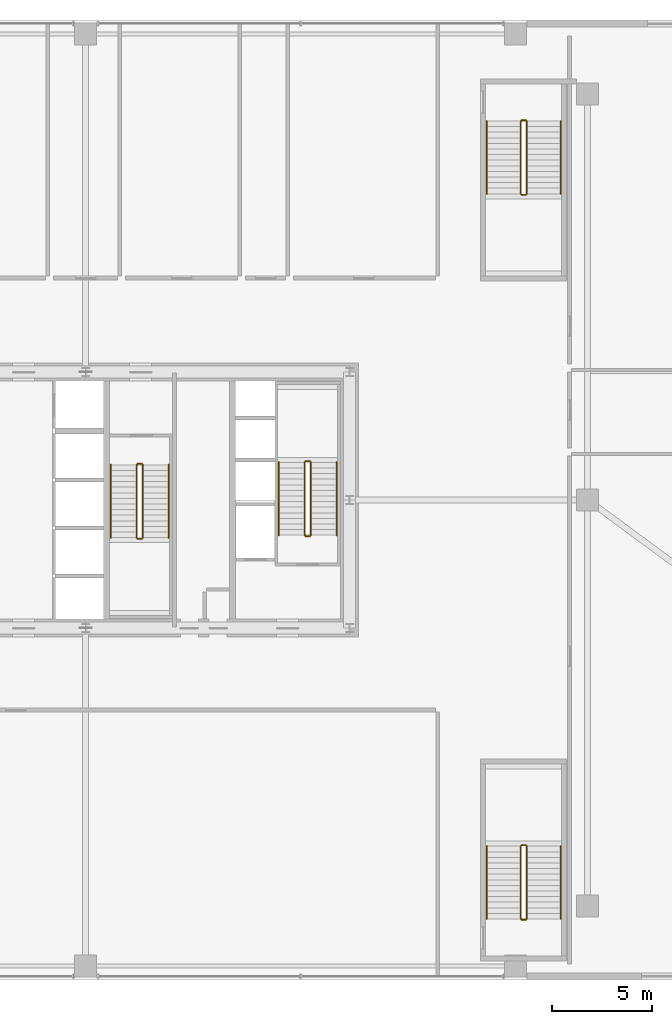
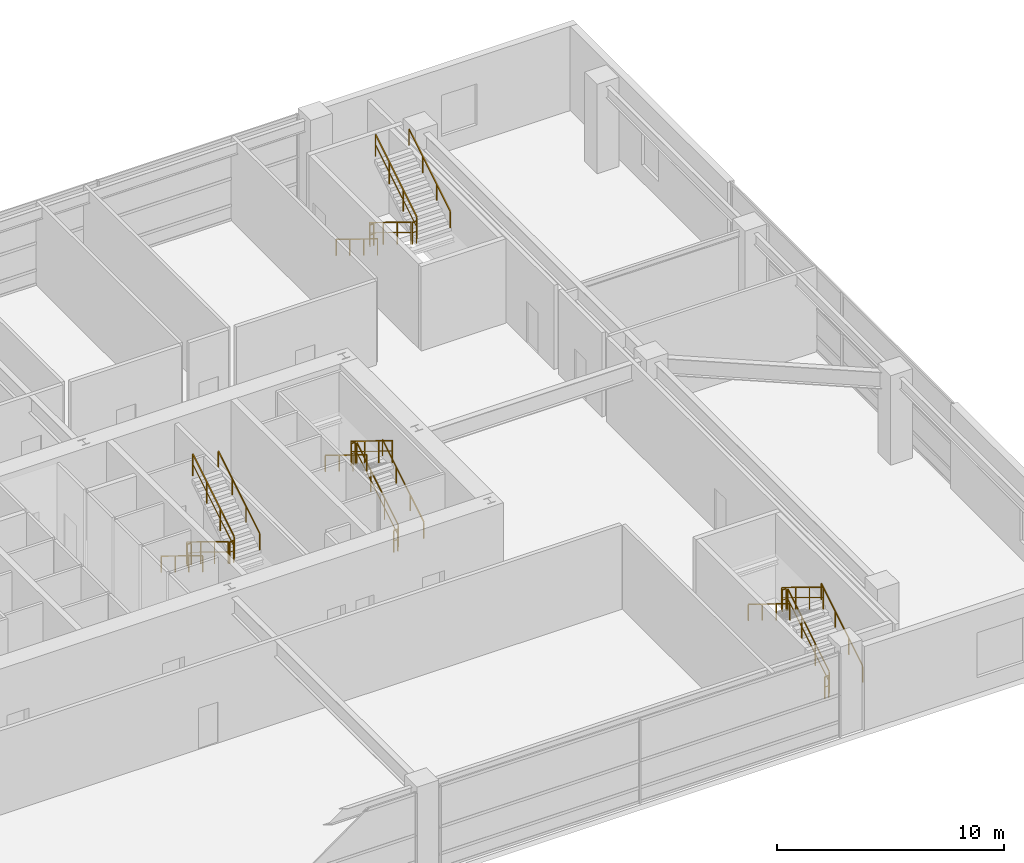
# One storey, part 38 of 38: 24 railings.
"""IFC4 building model written with IfcOpenShell, lengths in metres."""

import ifcopenshell
import ifcopenshell.guid

model = None  # the IFC model being written
_history = None  # IfcOwnerHistory: only IFC2X3 demands one
_inside = {}  # id of a spatial element -> (the spatial element, [elements in it])
_under = {}  # id of a project, library or spatial element -> (it, [spatial elements below it])
_declared = {}  # id of a project -> (the project, [libraries it declares])
_typed = {}  # id of a type object -> (the type object, [elements of that type])
_made_of = {}  # id of a material, layer set ... -> (it, [elements and type objects made of it])


def new_model(schema):
    """Start an empty IFC model of exactly this schema.

    Asked for "IFC4X3", IfcOpenShell would pick the latest addendum, in which some entities
    have other attributes; the version numbers below select the first issue.
    IFC2X3 requires an IfcOwnerHistory on every rooted entity: one is made here for all.
    """
    global model, _history
    if schema == "IFC4X3":
        model = ifcopenshell.file(schema_version=(4, 3, 0, 0))
    else:
        model = ifcopenshell.file(schema=schema)
    _inside.clear()
    _under.clear()
    _declared.clear()
    _typed.clear()
    _made_of.clear()
    _history = None
    if model.schema == "IFC2X3":
        org = make("IfcOrganization", Name="unknown")
        user = make(
            "IfcPersonAndOrganization",
            ThePerson=make("IfcPerson", FamilyName="unknown"),
            TheOrganization=org,
        )
        app = make(
            "IfcApplication",
            ApplicationDeveloper=org,
            Version="unknown",
            ApplicationFullName="unknown",
            ApplicationIdentifier="unknown",
        )
        _history = make(
            "IfcOwnerHistory",
            OwningUser=user,
            OwningApplication=app,
            ChangeAction="ADDED",
            CreationDate=0,
        )
    return model


def make(cls, **values):
    """One entity of the class cls with the attributes given. An attribute that is None is left unset."""
    return model.create_entity(
        cls, **{name: value for name, value in values.items() if value is not None}
    )


def rooted(cls, **values):
    """An entity with a GlobalId (a new one), such as an element, a storey or a relation."""
    return make(cls, GlobalId=ifcopenshell.guid.new(), OwnerHistory=_history, **values)


def si_unit(unit_type, name, prefix=None):
    """IfcSIUnit, for example si_unit("LENGTHUNIT", "METRE", prefix="MILLI")."""
    return make("IfcSIUnit", UnitType=unit_type, Prefix=prefix, Name=name)


def assignment(units):
    """IfcUnitAssignment: the units of a project."""
    return None if units is None else make("IfcUnitAssignment", Units=units)


def point(xyz):
    """IfcCartesianPoint."""
    return None if xyz is None else make("IfcCartesianPoint", Coordinates=xyz)


def direction(xyz):
    """IfcDirection."""
    return None if xyz is None else make("IfcDirection", DirectionRatios=xyz)


def frame(location, z_axis=None, x_axis=None):
    """IfcAxis2Placement3D, a coordinate frame: its origin and axes. An axis left out is left unset."""
    return make(
        "IfcAxis2Placement3D",
        Location=point(location),
        Axis=direction(z_axis),
        RefDirection=direction(x_axis),
    )


def frame_2d(location, x_axis=None):
    """IfcAxis2Placement2D, a coordinate frame in the plane: its origin and x axis."""
    return make(
        "IfcAxis2Placement2D", Location=point(location), RefDirection=direction(x_axis)
    )


def origin():
    """The frame at (0, 0, 0) with its axes left unset."""
    return frame((0.0, 0.0, 0.0))


def origin_2d():
    """The frame at (0, 0) in the plane with its x axis left unset."""
    return frame_2d((0.0, 0.0))


def place(relative_to, where):
    """IfcLocalPlacement: puts the frame where relative to a parent placement (None: the world)."""
    return make(
        "IfcLocalPlacement", PlacementRelTo=relative_to, RelativePlacement=where
    )


def context(
    kind, dimensions, precision=None, world=None, true_north=None, identifier=None
):
    """IfcGeometricRepresentationContext, for example the 3D "Model" context."""
    return make(
        "IfcGeometricRepresentationContext",
        ContextIdentifier=identifier,
        ContextType=kind,
        CoordinateSpaceDimension=dimensions,
        Precision=precision,
        WorldCoordinateSystem=world,
        TrueNorth=true_north,
    )


def subcontext(parent, identifier, kind, view, scale=None):
    """IfcGeometricRepresentationSubContext, for example "Body" below "Model"."""
    return make(
        "IfcGeometricRepresentationSubContext",
        ContextIdentifier=identifier,
        ContextType=kind,
        ParentContext=parent,
        TargetScale=scale,
        TargetView=view,
    )


def project(units=None, contexts=None):
    """IfcProject with its units and contexts."""
    return rooted(
        "IfcProject",
        Name="project",
        RepresentationContexts=contexts,
        UnitsInContext=assignment(units),
    )


def spatial(cls, under=None, at=None, **own):
    """A site, building, storey or space (cls), placed at a placement, below another one or the project."""
    s = rooted(cls, ObjectPlacement=at, **own)
    if under is not None:
        _under.setdefault(under.id(), (under, []))[1].append(s)
    return s


def profile(cls, at=None, kind="AREA", **sizes):
    """A parametric profile (cls). Its sizes go by their IFC names, for example OverallWidth=200.0."""
    return make(cls, ProfileType=kind, Position=at, **sizes)


def rectangle(**sizes):
    """IfcRectangleProfileDef."""
    return profile("IfcRectangleProfileDef", **sizes)


def extrude(swept, where, along, depth):
    """IfcExtrudedAreaSolid: the profile swept, set in the frame where, extruded along a direction by depth."""
    return make(
        "IfcExtrudedAreaSolid",
        SweptArea=swept,
        Position=where,
        ExtrudedDirection=direction(along),
        Depth=depth,
    )


def shape(context_of_items, identifier, shape_type, items):
    """IfcShapeRepresentation: the items that make up one representation, for example the "Body"."""
    return make(
        "IfcShapeRepresentation",
        ContextOfItems=context_of_items,
        RepresentationIdentifier=identifier,
        RepresentationType=shape_type,
        Items=items,
    )


def source(mapping_origin, context_of_items, identifier, shape_type, items):
    """IfcRepresentationMap: a shape defined once, which mapped items show again and again."""
    return make(
        "IfcRepresentationMap",
        MappingOrigin=mapping_origin,
        MappedRepresentation=shape(context_of_items, identifier, shape_type, items),
    )


def transform(
    local_origin,
    x_axis=None,
    y_axis=None,
    z_axis=None,
    scale=None,
    scale2=None,
    scale3=None,
    uniform=True,
):
    """IfcCartesianTransformationOperator3D, or its non-uniform kind. x_axis, y_axis, z_axis: its Axis1, 2, 3."""
    if uniform:
        return make(
            "IfcCartesianTransformationOperator3D",
            Axis1=direction(x_axis),
            Axis2=direction(y_axis),
            LocalOrigin=point(local_origin),
            Scale=scale,
            Axis3=direction(z_axis),
        )
    return make(
        "IfcCartesianTransformationOperator3DnonUniform",
        Axis1=direction(x_axis),
        Axis2=direction(y_axis),
        LocalOrigin=point(local_origin),
        Scale=scale,
        Axis3=direction(z_axis),
        Scale2=scale2,
        Scale3=scale3,
    )


def mapped(mapping_source, mapping_target):
    """IfcMappedItem: shows the shape of a source again, moved by a transform."""
    return make(
        "IfcMappedItem", MappingSource=mapping_source, MappingTarget=mapping_target
    )


def material(Name=None, Category=None):
    """IfcMaterial."""
    return make("IfcMaterial", Name=Name, Category=Category)


def layer(
    of_material, thickness, ventilated=None, Name=None, Category=None, Priority=None
):
    """IfcMaterialLayer: one layer of a wall or slab, of a material (None: an air gap)."""
    return make(
        "IfcMaterialLayer",
        Material=of_material,
        LayerThickness=thickness,
        IsVentilated=ventilated,
        Name=Name,
        Category=Category,
        Priority=Priority,
    )


def layer_set(layers, Name=None):
    """IfcMaterialLayerSet."""
    return make("IfcMaterialLayerSet", MaterialLayers=layers, LayerSetName=Name)


def made_of(thing, what):
    """Note that an element or type object is made of a material, layer set ...; save() writes the relation."""
    if what is not None:
        _made_of.setdefault(what.id(), (what, []))[1].append(thing)
    return thing


def type_object(cls, material=None, **own):
    """A type object (cls), such as IfcWallType, which elements share."""
    return made_of(rooted(cls, **own), material)


def element(
    cls,
    number,
    at=None,
    inside=None,
    cuts=None,
    type_object=None,
    material=None,
    context=None,
    identifier="Body",
    shape_type=None,
    held_by="IfcProductDefinitionShape",
    body=None,
    shapes=None,
    **own,
):
    """One element of the class cls, such as IfcWall. Its Tag is "e" and its number.

    at: its placement. inside: the storey or other place that contains it. cuts: it is an
    opening in that element (IfcRelVoidsElement). A single representation is given by context,
    identifier, shape_type and body (its items); several are given by shapes. held_by: the class
    of the entity that holds the representations. save() writes the other relations.
    """
    e = rooted(cls, Tag="e%d" % number, ObjectPlacement=at, **own)
    if body is not None:
        shapes = [shape(context, identifier, shape_type, body)]
    if shapes is not None:
        e.Representation = make(held_by, Representations=shapes)
    if inside is not None:
        _inside.setdefault(inside.id(), (inside, []))[1].append(e)
    if cuts is not None:
        rooted(
            "IfcRelVoidsElement", RelatingBuildingElement=cuts, RelatedOpeningElement=e
        )
    if type_object is not None:
        _typed.setdefault(type_object.id(), (type_object, []))[1].append(e)
    return made_of(e, material)


def aggregate(whole, parts):
    """IfcRelAggregates: a whole, such as a stair, and the parts it consists of."""
    return rooted("IfcRelAggregates", RelatingObject=whole, RelatedObjects=parts)


def save(model, path):
    """Write the relations noted so far, then the file.

    IfcRelAggregates (storeys below a building ...), IfcRelContainedInSpatialStructure (elements
    in a storey), IfcRelDefinesByType, IfcRelAssociatesMaterial and IfcRelDeclares: one each for
    every whole, place, type object, material and project.
    """
    for whole, parts in _under.values():
        aggregate(whole, parts)
    for where, things in _inside.values():
        rooted(
            "IfcRelContainedInSpatialStructure",
            RelatedElements=things,
            RelatingStructure=where,
        )
    for kind, things in _typed.values():
        rooted("IfcRelDefinesByType", RelatedObjects=things, RelatingType=kind)
    for what, things in _made_of.values():
        rooted("IfcRelAssociatesMaterial", RelatedObjects=things, RelatingMaterial=what)
    for by, libraries in _declared.values():
        rooted("IfcRelDeclares", RelatingContext=by, RelatedDefinitions=libraries)
    model.write(path)


model = new_model("IFC4")

# Units and contexts
model_context = context("Model", 3, precision=1e-05, world=origin(), true_north=direction((0.0, 1.0)))
body_context = subcontext(model_context, "Body", "Model", "MODEL_VIEW")
ifc_project = project(units=[si_unit("LENGTHUNIT", "METRE"), si_unit("AREAUNIT", "SQUARE_METRE"), si_unit("VOLUMEUNIT", "CUBIC_METRE"), si_unit("PLANEANGLEUNIT", "RADIAN"), si_unit("MASSUNIT", "GRAM", prefix="KILO"), si_unit("THERMODYNAMICTEMPERATUREUNIT", "KELVIN"), si_unit("POWERUNIT", "WATT")], contexts=[model_context])

# Site, building, storey
site_placement = place(None, origin())
site = spatial("IfcSite", under=ifc_project, at=site_placement, CompositionType="ELEMENT")
building_placement = place(site_placement, origin())
building = spatial("IfcBuilding", under=site, at=building_placement, Name="Yuzanri Waterfront Tower", CompositionType="ELEMENT")
storey_placement = place(building_placement, frame((0.0, 0.0, 10.199951171875)))
storey = spatial("IfcBuildingStorey", under=building, at=storey_placement, Name="L03", CompositionType="ELEMENT", Elevation=10.199951171875)

# Railings
ifc_material_1 = material(Name="Painted Galvanized Fire Steel", Category="steel")
ifc_layer_1 = layer(ifc_material_1, 0.06005859375)
ifc_layer_set_1 = layer_set([ifc_layer_1], Name="Painted Galvanized Fire Steel")
railing_type_1 = type_object("IfcRailingType", Name="Painted Steel Stairwell Guardrail 1120", PredefinedType="GUARDRAIL", material=ifc_layer_set_1)
shared_shape_1 = source(origin(), body_context, "Body", "SweptSolid", [
    extrude(rectangle(XDim=0.050048828125, YDim=0.050048828125, at=origin_2d()), frame((0.0, 0.0, 1.1748046875), z_axis=(-1.0, 0.0, 0.0), x_axis=(0.0, -1.0, 0.0)), (0.0, 0.0, 1.0), 0.199951171875),
    extrude(rectangle(XDim=0.035888671875, YDim=0.030029296875, at=origin_2d()), frame((0.0, 0.0, 0.6240234375), z_axis=(-1.0, 0.0, 0.0), x_axis=(0.0, -1.0, 0.0)), (0.0, 0.0, 1.0), 0.199951171875),
    extrude(rectangle(XDim=0.0458984375, YDim=0.0458984375, at=origin_2d()), origin(), (0.0, 0.0, 1.0), 1.14990234375),
    extrude(rectangle(XDim=0.0458984375, YDim=0.0458984375, at=origin_2d()), frame((-0.199951171875, 0.0, 0.0)), (0.0, 0.0, 1.0), 1.14990234375),
])
for number, where, name in (
    (1, (48.199951171875, 27.72998046875, 2.400146484375), "L03 ST-02 stair guard 2"),
    (2, (48.199951171875, 23.989990234375, 0.0), "L03 ST-02 stair guard 4"),
    (3, (59.0, 8.5400390625, 2.400146484375), "L03 PST-02 stair guard 2"),
    (4, (59.0, 4.800048828125, 0.0), "L03 PST-02 stair guard 4"),
):
    element("IfcRailing", number, at=place(storey_placement, frame(where)), inside=storey, type_object=railing_type_1, Name=name, PredefinedType="GUARDRAIL", context=body_context, shape_type="MappedRepresentation", body=[
        mapped(shared_shape_1, transform((0.0, 0.0, 0.0), scale=1.0)),
    ])
shared_shape_2 = source(origin(), body_context, "Body", "SweptSolid", [
    extrude(rectangle(XDim=0.050048828125, YDim=0.050048828125, at=origin_2d()), frame((0.0, 0.0, 1.1748046875), z_axis=(0.0, 0.852850264322, 0.5221555579), x_axis=(-1.0, 0.0, 0.0)), (0.0, 0.0, 1.0), 4.267822265625),
    extrude(rectangle(XDim=0.035888671875, YDim=0.030029296875, at=origin_2d()), frame((0.0, 0.0, 0.6240234375), z_axis=(0.0, 0.852850264322, 0.5221555579), x_axis=(-1.0, 0.0, 0.0)), (0.0, 0.0, 1.0), 4.267822265625),
    extrude(rectangle(XDim=0.0458984375, YDim=0.0458984375, at=origin_2d()), origin(), (0.0, 0.0, 1.0), 1.14990234375),
    extrude(rectangle(XDim=0.0458984375, YDim=0.0458984375, at=origin_2d()), frame((0.0, 1.21337890625, 0.742919921875)), (0.0, 0.0, 1.0), 1.14990234375),
    extrude(rectangle(XDim=0.0458984375, YDim=0.0458984375, at=origin_2d()), frame((0.0, 2.426513671875, 1.485595703125)), (0.0, 0.0, 1.0), 1.14990234375),
    extrude(rectangle(XDim=0.0458984375, YDim=0.0458984375, at=origin_2d()), frame((0.0, 3.639892578125, 2.228515625)), (0.0, 0.0, 1.0), 1.14990234375),
])
railing_1_placement = place(storey_placement, frame((59.050048828125, 41.110107421875, 2.571533203125)))
element("IfcRailing", 5, at=railing_1_placement, inside=storey, type_object=railing_type_1, Name="L03 PST-03 stair guard 3", PredefinedType="GUARDRAIL", context=body_context, shape_type="MappedRepresentation", body=[
    mapped(shared_shape_2, transform((0.0, 0.0, 0.0), scale=1.0)),
])
shared_shape_3 = source(origin(), body_context, "Body", "SweptSolid", [
    extrude(rectangle(XDim=0.050048828125, YDim=0.050048828125, at=origin_2d()), frame((0.0, 0.0, 1.1748046875), z_axis=(0.0, -0.852850264322, 0.5221555579), x_axis=(1.0, 0.0, 0.0)), (0.0, 0.0, 1.0), 4.267822265625),
    extrude(rectangle(XDim=0.035888671875, YDim=0.030029296875, at=origin_2d()), frame((0.0, 0.0, 0.6240234375), z_axis=(0.0, -0.852850264322, 0.5221555579), x_axis=(1.0, 0.0, 0.0)), (0.0, 0.0, 1.0), 4.267822265625),
    extrude(rectangle(XDim=0.0458984375, YDim=0.0458984375, at=origin_2d()), origin(), (0.0, 0.0, 1.0), 1.14990234375),
    extrude(rectangle(XDim=0.0458984375, YDim=0.0458984375, at=origin_2d()), frame((0.0, -1.21337890625, 0.742919921875)), (0.0, 0.0, 1.0), 1.14990234375),
    extrude(rectangle(XDim=0.0458984375, YDim=0.0458984375, at=origin_2d()), frame((0.0, -2.426513671875, 1.485595703125)), (0.0, 0.0, 1.0), 1.14990234375),
    extrude(rectangle(XDim=0.0458984375, YDim=0.0458984375, at=origin_2d()), frame((0.0, -3.639892578125, 2.228515625)), (0.0, 0.0, 1.0), 1.14990234375),
])
for number, where, name in (
    (6, (47.949951171875, 27.679931640625, 2.571533203125), "L03 ST-02 stair guard 3"),
    (7, (58.75, 8.489990234375, 2.571533203125), "L03 PST-02 stair guard 3"),
):
    element("IfcRailing", number, at=place(storey_placement, frame(where)), inside=storey, type_object=railing_type_1, Name=name, PredefinedType="GUARDRAIL", context=body_context, shape_type="MappedRepresentation", body=[
        mapped(shared_shape_3, transform((0.0, 0.0, 0.0), scale=1.0)),
    ])
ifc_material_2 = material(Name="Anodized Architectural Bronze", Category="metal")
ifc_layer_2 = layer(ifc_material_2, 0.050048828125)
ifc_layer_set_2 = layer_set([ifc_layer_2], Name="Anodized Architectural Bronze")
railing_type_2 = type_object("IfcRailingType", Name="Brushed Bronze Stair Pitch Handrail 920", PredefinedType="HANDRAIL", material=ifc_layer_set_2)
shared_shape_4 = source(origin(), body_context, "Body", "SweptSolid", [
    extrude(rectangle(XDim=0.050048828125, YDim=0.050048828125, at=origin_2d()), frame((0.0, 0.0, 0.875), z_axis=(0.0, 0.852850264322, 0.5221555579), x_axis=(-1.0, 0.0, 0.0)), (0.0, 0.0, 1.0), 4.267822265625),
    extrude(rectangle(XDim=0.0458984375, YDim=0.0458984375, at=origin_2d()), origin(), (0.0, 0.0, 1.0), 0.849853515625),
    extrude(rectangle(XDim=0.0458984375, YDim=0.0458984375, at=origin_2d()), frame((0.0, 1.21337890625, 0.742919921875)), (0.0, 0.0, 1.0), 0.849853515625),
    extrude(rectangle(XDim=0.0458984375, YDim=0.0458984375, at=origin_2d()), frame((0.0, 2.426513671875, 1.485595703125)), (0.0, 0.0, 1.0), 0.849853515625),
    extrude(rectangle(XDim=0.0458984375, YDim=0.0458984375, at=origin_2d()), frame((0.0, 3.639892578125, 2.228515625)), (0.0, 0.0, 1.0), 0.849853515625),
])
railing_2_placement = place(storey_placement, frame((60.75, 41.110107421875, 2.571533203125)))
element("IfcRailing", 8, at=railing_2_placement, inside=storey, type_object=railing_type_2, Name="L03 PST-03 stair handrail 2", PredefinedType="HANDRAIL", context=body_context, shape_type="MappedRepresentation", body=[
    mapped(shared_shape_4, transform((0.0, 0.0, 0.0), scale=1.0)),
])
shared_shape_5 = source(origin(), body_context, "Body", "SweptSolid", [
    extrude(rectangle(XDim=0.050048828125, YDim=0.050048828125, at=origin_2d()), frame((0.0, 0.0, 0.875), z_axis=(0.0, -0.852850264322, 0.5221555579), x_axis=(1.0, 0.0, 0.0)), (0.0, 0.0, 1.0), 4.267822265625),
    extrude(rectangle(XDim=0.0458984375, YDim=0.0458984375, at=origin_2d()), origin(), (0.0, 0.0, 1.0), 0.849853515625),
    extrude(rectangle(XDim=0.0458984375, YDim=0.0458984375, at=origin_2d()), frame((0.0, -1.21337890625, 0.742919921875)), (0.0, 0.0, 1.0), 0.849853515625),
    extrude(rectangle(XDim=0.0458984375, YDim=0.0458984375, at=origin_2d()), frame((0.0, -2.426513671875, 1.485595703125)), (0.0, 0.0, 1.0), 0.849853515625),
    extrude(rectangle(XDim=0.0458984375, YDim=0.0458984375, at=origin_2d()), frame((0.0, -3.639892578125, 2.228515625)), (0.0, 0.0, 1.0), 0.849853515625),
])
for number, where, name in (
    (9, (46.64990234375, 27.679931640625, 2.571533203125), "L03 ST-02 stair handrail 2"),
    (10, (57.050048828125, 8.489990234375, 2.571533203125), "L03 PST-02 stair handrail 2"),
):
    element("IfcRailing", number, at=place(storey_placement, frame(where)), inside=storey, type_object=railing_type_2, Name=name, PredefinedType="HANDRAIL", context=body_context, shape_type="MappedRepresentation", body=[
        mapped(shared_shape_5, transform((0.0, 0.0, 0.0), scale=1.0)),
    ])
shared_shape_6 = source(origin(), body_context, "Body", "SweptSolid", [
    extrude(rectangle(XDim=0.050048828125, YDim=0.050048828125, at=origin_2d()), frame((0.0, 0.0, 1.1748046875), z_axis=(0.0, 0.852824790078, 0.522197163366), x_axis=(-1.0, 0.0, 0.0)), (0.0, 0.0, 1.0), 4.26806640625),
    extrude(rectangle(XDim=0.035888671875, YDim=0.030029296875, at=origin_2d()), frame((0.0, 0.0, 0.6240234375), z_axis=(0.0, 0.852824790078, 0.522197163366), x_axis=(-1.0, 0.0, 0.0)), (0.0, 0.0, 1.0), 4.26806640625),
    extrude(rectangle(XDim=0.0458984375, YDim=0.0458984375, at=origin_2d()), origin(), (0.0, 0.0, 1.0), 1.14990234375),
    extrude(rectangle(XDim=0.0458984375, YDim=0.0458984375, at=origin_2d()), frame((0.0, 1.21337890625, 0.742919921875)), (0.0, 0.0, 1.0), 1.14990234375),
    extrude(rectangle(XDim=0.0458984375, YDim=0.0458984375, at=origin_2d()), frame((0.0, 2.426513671875, 1.48583984375)), (0.0, 0.0, 1.0), 1.14990234375),
    extrude(rectangle(XDim=0.0458984375, YDim=0.0458984375, at=origin_2d()), frame((0.0, 3.639892578125, 2.228759765625)), (0.0, 0.0, 1.0), 1.14990234375),
])
for number, where, name in (
    (11, (48.25, 24.0400390625, 0.17138671875), "L03 ST-02 stair guard 1"),
    (12, (59.050048828125, 4.85009765625, 0.17138671875), "L03 PST-02 stair guard 1"),
):
    element("IfcRailing", number, at=place(storey_placement, frame(where)), inside=storey, type_object=railing_type_1, Name=name, PredefinedType="GUARDRAIL", context=body_context, shape_type="MappedRepresentation", body=[
        mapped(shared_shape_6, transform((0.0, 0.0, 0.0), scale=1.0)),
    ])
shared_shape_7 = source(origin(), body_context, "Body", "SweptSolid", [
    extrude(rectangle(XDim=0.050048828125, YDim=0.050048828125, at=origin_2d()), frame((0.0, 0.0, 0.875), z_axis=(0.0, 0.852824790078, 0.522197163366), x_axis=(-1.0, 0.0, 0.0)), (0.0, 0.0, 1.0), 4.26806640625),
    extrude(rectangle(XDim=0.0458984375, YDim=0.0458984375, at=origin_2d()), origin(), (0.0, 0.0, 1.0), 0.849853515625),
    extrude(rectangle(XDim=0.0458984375, YDim=0.0458984375, at=origin_2d()), frame((0.0, 1.21337890625, 0.742919921875)), (0.0, 0.0, 1.0), 0.849853515625),
    extrude(rectangle(XDim=0.0458984375, YDim=0.0458984375, at=origin_2d()), frame((0.0, 2.426513671875, 1.48583984375)), (0.0, 0.0, 1.0), 0.849853515625),
    extrude(rectangle(XDim=0.0458984375, YDim=0.0458984375, at=origin_2d()), frame((0.0, 3.639892578125, 2.228759765625)), (0.0, 0.0, 1.0), 0.849853515625),
])
for number, where, name in (
    (13, (49.550048828125, 24.0400390625, 0.17138671875), "L03 ST-02 stair handrail 1"),
    (14, (60.75, 4.85009765625, 0.17138671875), "L03 PST-02 stair handrail 1"),
):
    element("IfcRailing", number, at=place(storey_placement, frame(where)), inside=storey, type_object=railing_type_2, Name=name, PredefinedType="HANDRAIL", context=body_context, shape_type="MappedRepresentation", body=[
        mapped(shared_shape_7, transform((0.0, 0.0, 0.0), scale=1.0)),
    ])
shared_shape_8 = source(origin(), body_context, "Body", "SweptSolid", [
    extrude(rectangle(XDim=0.050048828125, YDim=0.050048828125, at=origin_2d()), frame((0.0, 0.0, 1.1748046875), z_axis=(0.0, -0.852824790078, 0.522197163366), x_axis=(1.0, 0.0, 0.0)), (0.0, 0.0, 1.0), 4.26806640625),
    extrude(rectangle(XDim=0.035888671875, YDim=0.030029296875, at=origin_2d()), frame((0.0, 0.0, 0.6240234375), z_axis=(0.0, -0.852824790078, 0.522197163366), x_axis=(1.0, 0.0, 0.0)), (0.0, 0.0, 1.0), 4.26806640625),
    extrude(rectangle(XDim=0.0458984375, YDim=0.0458984375, at=origin_2d()), origin(), (0.0, 0.0, 1.0), 1.14990234375),
    extrude(rectangle(XDim=0.0458984375, YDim=0.0458984375, at=origin_2d()), frame((0.0, -1.21337890625, 0.742919921875)), (0.0, 0.0, 1.0), 1.14990234375),
    extrude(rectangle(XDim=0.0458984375, YDim=0.0458984375, at=origin_2d()), frame((0.0, -2.426513671875, 1.48583984375)), (0.0, 0.0, 1.0), 1.14990234375),
    extrude(rectangle(XDim=0.0458984375, YDim=0.0458984375, at=origin_2d()), frame((0.0, -3.639892578125, 2.228759765625)), (0.0, 0.0, 1.0), 1.14990234375),
])
railing_3_placement = place(storey_placement, frame((58.75, 44.75, 0.17138671875)))
element("IfcRailing", 15, at=railing_3_placement, inside=storey, type_object=railing_type_1, Name="L03 PST-03 stair guard 1", PredefinedType="GUARDRAIL", context=body_context, shape_type="MappedRepresentation", body=[
    mapped(shared_shape_8, transform((0.0, 0.0, 0.0), scale=1.0)),
])
shared_shape_9 = source(origin(), body_context, "Body", "SweptSolid", [
    extrude(rectangle(XDim=0.050048828125, YDim=0.050048828125, at=origin_2d()), frame((0.0, 0.0, 0.875), z_axis=(0.0, -0.852824790078, 0.522197163366), x_axis=(1.0, 0.0, 0.0)), (0.0, 0.0, 1.0), 4.26806640625),
    extrude(rectangle(XDim=0.0458984375, YDim=0.0458984375, at=origin_2d()), origin(), (0.0, 0.0, 1.0), 0.849853515625),
    extrude(rectangle(XDim=0.0458984375, YDim=0.0458984375, at=origin_2d()), frame((0.0, -1.21337890625, 0.742919921875)), (0.0, 0.0, 1.0), 0.849853515625),
    extrude(rectangle(XDim=0.0458984375, YDim=0.0458984375, at=origin_2d()), frame((0.0, -2.426513671875, 1.48583984375)), (0.0, 0.0, 1.0), 0.849853515625),
    extrude(rectangle(XDim=0.0458984375, YDim=0.0458984375, at=origin_2d()), frame((0.0, -3.639892578125, 2.228759765625)), (0.0, 0.0, 1.0), 0.849853515625),
])
railing_4_placement = place(storey_placement, frame((57.050048828125, 44.75, 0.17138671875)))
element("IfcRailing", 16, at=railing_4_placement, inside=storey, type_object=railing_type_2, Name="L03 PST-03 stair handrail 1", PredefinedType="HANDRAIL", context=body_context, shape_type="MappedRepresentation", body=[
    mapped(shared_shape_9, transform((0.0, 0.0, 0.0), scale=1.0)),
])
shared_shape_10 = source(origin(), body_context, "Body", "SweptSolid", [
    extrude(rectangle(XDim=0.050048828125, YDim=0.050048828125, at=origin_2d()), frame((0.0, 0.0, 1.1748046875), z_axis=(1.0, 0.0, 0.0), x_axis=(0.0, 1.0, 0.0)), (0.0, 0.0, 1.0), 0.199951171875),
    extrude(rectangle(XDim=0.035888671875, YDim=0.030029296875, at=origin_2d()), frame((0.0, 0.0, 0.6240234375), z_axis=(1.0, 0.0, 0.0), x_axis=(0.0, 1.0, 0.0)), (0.0, 0.0, 1.0), 0.199951171875),
    extrude(rectangle(XDim=0.0458984375, YDim=0.0458984375, at=origin_2d()), origin(), (0.0, 0.0, 1.0), 1.14990234375),
    extrude(rectangle(XDim=0.0458984375, YDim=0.0458984375, at=origin_2d()), frame((0.199951171875, 0.0, 0.0)), (0.0, 0.0, 1.0), 1.14990234375),
])
for number, where, name in (
    (17, (39.60009765625, 23.8701171875, 2.400146484375), "L03 ST-03 stair guard 2"),
    (18, (39.60009765625, 27.610107421875, 0.0), "L03 ST-03 stair guard 4"),
    (19, (58.800048828125, 41.06005859375, 2.400146484375), "L03 PST-03 stair guard 2"),
    (20, (58.800048828125, 44.800048828125, 0.0), "L03 PST-03 stair guard 4"),
):
    element("IfcRailing", number, at=place(storey_placement, frame(where)), inside=storey, type_object=railing_type_1, Name=name, PredefinedType="GUARDRAIL", context=body_context, shape_type="MappedRepresentation", body=[
        mapped(shared_shape_10, transform((0.0, 0.0, 0.0), scale=1.0)),
    ])
shared_shape_11 = source(origin(), body_context, "Body", "SweptSolid", [
    extrude(rectangle(XDim=0.050048828125, YDim=0.050048828125, at=origin_2d()), frame((0.0, 0.0, 1.1748046875), z_axis=(0.0, 0.852865859571, 0.52213008492), x_axis=(-1.0, 0.0, 0.0)), (0.0, 0.0, 1.0), 4.26806640625),
    extrude(rectangle(XDim=0.035888671875, YDim=0.030029296875, at=origin_2d()), frame((0.0, 0.0, 0.6240234375), z_axis=(0.0, 0.852865859571, 0.52213008492), x_axis=(-1.0, 0.0, 0.0)), (0.0, 0.0, 1.0), 4.26806640625),
    extrude(rectangle(XDim=0.0458984375, YDim=0.0458984375, at=origin_2d()), origin(), (0.0, 0.0, 1.0), 1.14990234375),
    extrude(rectangle(XDim=0.0458984375, YDim=0.0458984375, at=origin_2d()), frame((0.0, 1.21337890625, 0.742919921875)), (0.0, 0.0, 1.0), 1.14990234375),
    extrude(rectangle(XDim=0.0458984375, YDim=0.0458984375, at=origin_2d()), frame((0.0, 2.4267578125, 1.485595703125)), (0.0, 0.0, 1.0), 1.14990234375),
    extrude(rectangle(XDim=0.0458984375, YDim=0.0458984375, at=origin_2d()), frame((0.0, 3.64013671875, 2.228515625)), (0.0, 0.0, 1.0), 1.14990234375),
])
railing_5_placement = place(storey_placement, frame((39.85009765625, 23.919921875, 2.571533203125)))
element("IfcRailing", 21, at=railing_5_placement, inside=storey, type_object=railing_type_1, Name="L03 ST-03 stair guard 3", PredefinedType="GUARDRAIL", context=body_context, shape_type="MappedRepresentation", body=[
    mapped(shared_shape_11, transform((0.0, 0.0, 0.0), scale=1.0)),
])
shared_shape_12 = source(origin(), body_context, "Body", "SweptSolid", [
    extrude(rectangle(XDim=0.050048828125, YDim=0.050048828125, at=origin_2d()), frame((0.0, 0.0, 0.875), z_axis=(0.0, 0.852865859571, 0.52213008492), x_axis=(-1.0, 0.0, 0.0)), (0.0, 0.0, 1.0), 4.26806640625),
    extrude(rectangle(XDim=0.0458984375, YDim=0.0458984375, at=origin_2d()), origin(), (0.0, 0.0, 1.0), 0.849853515625),
    extrude(rectangle(XDim=0.0458984375, YDim=0.0458984375, at=origin_2d()), frame((0.0, 1.21337890625, 0.742919921875)), (0.0, 0.0, 1.0), 0.849853515625),
    extrude(rectangle(XDim=0.0458984375, YDim=0.0458984375, at=origin_2d()), frame((0.0, 2.4267578125, 1.485595703125)), (0.0, 0.0, 1.0), 0.849853515625),
    extrude(rectangle(XDim=0.0458984375, YDim=0.0458984375, at=origin_2d()), frame((0.0, 3.64013671875, 2.228515625)), (0.0, 0.0, 1.0), 0.849853515625),
])
railing_6_placement = place(storey_placement, frame((41.14990234375, 23.919921875, 2.571533203125)))
element("IfcRailing", 22, at=railing_6_placement, inside=storey, type_object=railing_type_2, Name="L03 ST-03 stair handrail 2", PredefinedType="HANDRAIL", context=body_context, shape_type="MappedRepresentation", body=[
    mapped(shared_shape_12, transform((0.0, 0.0, 0.0), scale=1.0)),
])
shared_shape_13 = source(origin(), body_context, "Body", "SweptSolid", [
    extrude(rectangle(XDim=0.050048828125, YDim=0.050048828125, at=origin_2d()), frame((0.0, 0.0, 1.1748046875), z_axis=(0.0, -0.852840387347, 0.522171689878), x_axis=(1.0, 0.0, 0.0)), (0.0, 0.0, 1.0), 4.268310546875),
    extrude(rectangle(XDim=0.035888671875, YDim=0.030029296875, at=origin_2d()), frame((0.0, 0.0, 0.6240234375), z_axis=(0.0, -0.852840387347, 0.522171689878), x_axis=(1.0, 0.0, 0.0)), (0.0, 0.0, 1.0), 4.268310546875),
    extrude(rectangle(XDim=0.0458984375, YDim=0.0458984375, at=origin_2d()), origin(), (0.0, 0.0, 1.0), 1.14990234375),
    extrude(rectangle(XDim=0.0458984375, YDim=0.0458984375, at=origin_2d()), frame((0.0, -1.21337890625, 0.742919921875)), (0.0, 0.0, 1.0), 1.14990234375),
    extrude(rectangle(XDim=0.0458984375, YDim=0.0458984375, at=origin_2d()), frame((0.0, -2.4267578125, 1.48583984375)), (0.0, 0.0, 1.0), 1.14990234375),
    extrude(rectangle(XDim=0.0458984375, YDim=0.0458984375, at=origin_2d()), frame((0.0, -3.64013671875, 2.228759765625)), (0.0, 0.0, 1.0), 1.14990234375),
])
railing_7_placement = place(storey_placement, frame((39.550048828125, 27.56005859375, 0.17138671875)))
element("IfcRailing", 23, at=railing_7_placement, inside=storey, type_object=railing_type_1, Name="L03 ST-03 stair guard 1", PredefinedType="GUARDRAIL", context=body_context, shape_type="MappedRepresentation", body=[
    mapped(shared_shape_13, transform((0.0, 0.0, 0.0), scale=1.0)),
])
shared_shape_14 = source(origin(), body_context, "Body", "SweptSolid", [
    extrude(rectangle(XDim=0.050048828125, YDim=0.050048828125, at=origin_2d()), frame((0.0, 0.0, 0.875), z_axis=(0.0, -0.852840387347, 0.522171689878), x_axis=(1.0, 0.0, 0.0)), (0.0, 0.0, 1.0), 4.268310546875),
    extrude(rectangle(XDim=0.0458984375, YDim=0.0458984375, at=origin_2d()), origin(), (0.0, 0.0, 1.0), 0.849853515625),
    extrude(rectangle(XDim=0.0458984375, YDim=0.0458984375, at=origin_2d()), frame((0.0, -1.21337890625, 0.742919921875)), (0.0, 0.0, 1.0), 0.849853515625),
    extrude(rectangle(XDim=0.0458984375, YDim=0.0458984375, at=origin_2d()), frame((0.0, -2.4267578125, 1.48583984375)), (0.0, 0.0, 1.0), 0.849853515625),
    extrude(rectangle(XDim=0.0458984375, YDim=0.0458984375, at=origin_2d()), frame((0.0, -3.64013671875, 2.228759765625)), (0.0, 0.0, 1.0), 0.849853515625),
])
railing_8_placement = place(storey_placement, frame((38.25, 27.56005859375, 0.17138671875)))
element("IfcRailing", 24, at=railing_8_placement, inside=storey, type_object=railing_type_2, Name="L03 ST-03 stair handrail 1", PredefinedType="HANDRAIL", context=body_context, shape_type="MappedRepresentation", body=[
    mapped(shared_shape_14, transform((0.0, 0.0, 0.0), scale=1.0)),
])

save(model, "model.ifc")
